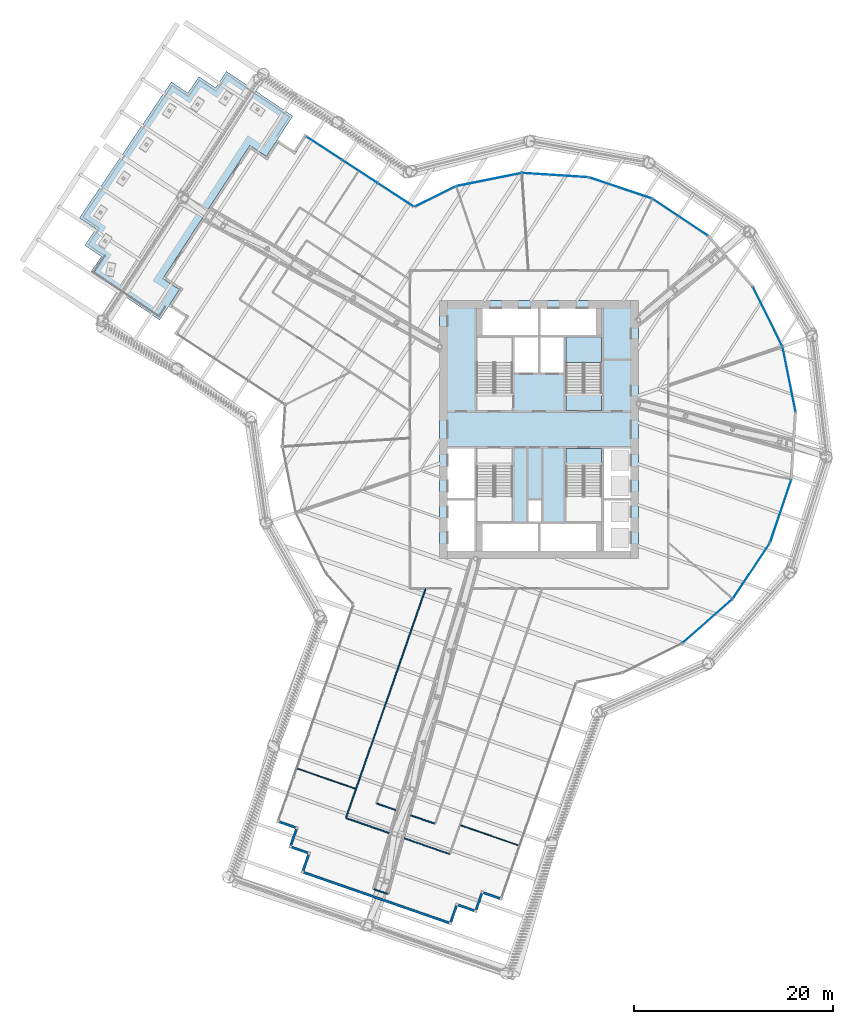
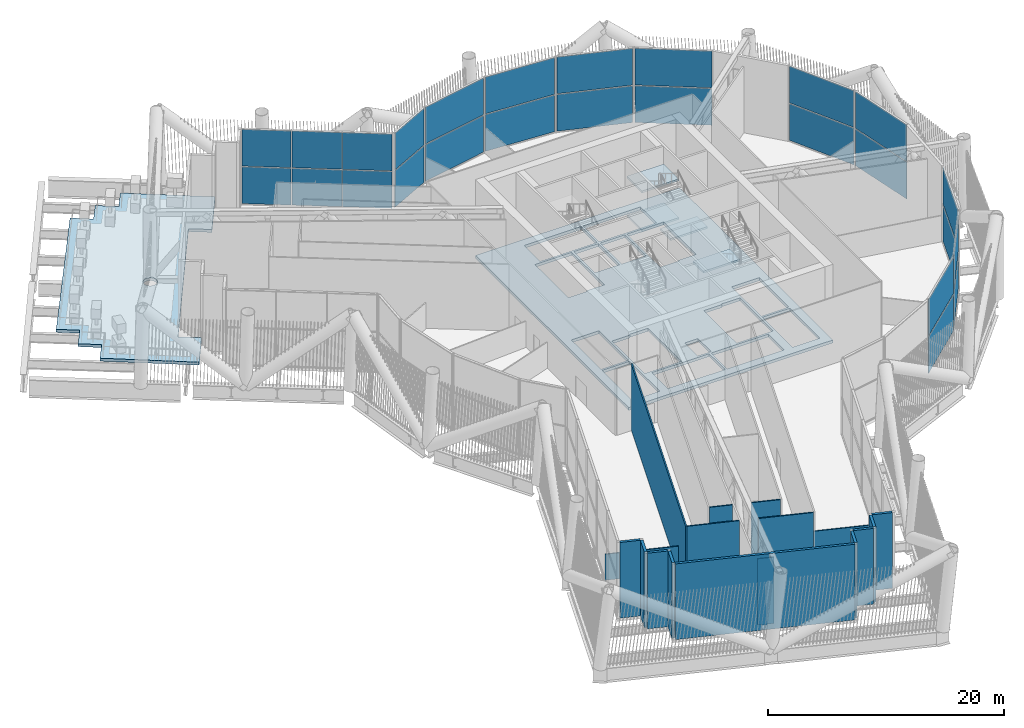
# One storey, part 38 of 63: 26 plates, 17 walls, 6 slabs, 13 elements without a shape of their own.
"""IFC4 building model written with IfcOpenShell, lengths in metres."""

from ifc_helpers import new_model, si_unit, direction, frame, frame_2d, origin, origin_2d, place, context, subcontext, project, spatial, polyline, rectangle, outline, extrude, material, layer, layer_set, type_object, element, aggregate, save


model = new_model("IFC4")

# Units and contexts
model_context = context("Model", 3, precision=1e-05, world=origin(), true_north=direction((0.0, 1.0)))
body_context = subcontext(model_context, "Body", "Model", "MODEL_VIEW")
ifc_project = project(units=[si_unit("LENGTHUNIT", "METRE"), si_unit("AREAUNIT", "SQUARE_METRE"), si_unit("VOLUMEUNIT", "CUBIC_METRE"), si_unit("PLANEANGLEUNIT", "RADIAN"), si_unit("MASSUNIT", "GRAM", prefix="KILO")], contexts=[model_context])

# Site, building, storey
site_placement = place(None, origin())
site = spatial("IfcSite", under=ifc_project, at=site_placement, CompositionType="ELEMENT")
building_placement = place(site_placement, origin())
building = spatial("IfcBuilding", under=site, at=building_placement, Name="Tarsis Ring Headquarters", CompositionType="ELEMENT")
storey_placement = place(building_placement, frame((0.0, 0.0, 139.60009765625)))
storey = spatial("IfcBuildingStorey", under=building, at=storey_placement, Name="L32", CompositionType="ELEMENT", Elevation=139.60009765625)

# Slab
ifc_material_1 = material(Name="Concrete C40/50", Category="concrete")
ifc_layer_1 = layer(ifc_material_1, 0.300048828125)
ifc_layer_set_1 = layer_set([ifc_layer_1], Name="Core floor slab 300 C40/50")
slab_type_1 = type_object("IfcSlabType", Name="Core floor slab 300 C40/50", PredefinedType="FLOOR", material=ifc_layer_set_1)
slab_1_placement = place(storey_placement, frame((0.0, 0.0, -0.300048828125)))
element("IfcSlab", 1, at=slab_1_placement, inside=storey, type_object=slab_type_1, Name="L32 core floor slab", PredefinedType="FLOOR", context=body_context, shape_type="SweptSolid", body=[
    extrude(outline(polyline([(-10.0, -13.0), (10.0, -13.0), (10.0, 13.0), (-10.0, 13.0), (-10.0, -13.0)]), holes=[polyline([(-2.5, 5.699951171875), (-0.10009765625, 5.699951171875), (-0.10009765625, 9.300048828125), (-2.5, 9.300048828125), (-2.5, 5.699951171875)]), polyline([(0.10009765625, 5.699951171875), (2.5, 5.699951171875), (2.5, 9.300048828125), (0.10009765625, 9.300048828125), (0.10009765625, 5.699951171875)]), polyline([(-9.199951171875, -12.199951171875), (-6.5, -12.199951171875), (-6.5, -7.10009765625), (-9.199951171875, -7.10009765625), (-9.199951171875, -12.199951171875)]), polyline([(-9.199951171875, -6.89990234375), (-6.5, -6.89990234375), (-6.5, -1.89990234375), (-9.199951171875, -1.89990234375), (-9.199951171875, -6.89990234375)]), polyline([(6.5, -12.199951171875), (9.199951171875, -12.199951171875), (9.199951171875, -7.10009765625), (6.5, -7.10009765625), (6.5, -12.199951171875)]), polyline([(6.5, -6.89990234375), (9.199951171875, -6.89990234375), (9.199951171875, -1.89990234375), (6.5, -1.89990234375), (6.5, -6.89990234375)]), polyline([(-5.699951171875, 9.5), (-0.10009765625, 9.5), (-0.10009765625, 12.199951171875), (-5.699951171875, 12.199951171875), (-5.699951171875, 9.5)]), polyline([(0.10009765625, 9.5), (5.699951171875, 9.5), (5.699951171875, 12.199951171875), (0.10009765625, 12.199951171875), (0.10009765625, 9.5)]), polyline([(-5.699951171875, -12.199951171875), (-0.10009765625, -12.199951171875), (-0.10009765625, -9.5), (-5.699951171875, -9.5), (-5.699951171875, -12.199951171875)]), polyline([(0.10009765625, -12.199951171875), (5.699951171875, -12.199951171875), (5.699951171875, -9.5), (0.10009765625, -9.5), (0.10009765625, -12.199951171875)]), polyline([(-1.10009765625, -9.300048828125), (0.199951171875, -9.300048828125), (0.199951171875, -7.10009765625), (-1.10009765625, -7.10009765625), (-1.10009765625, -9.300048828125)]), polyline([(-2.699951171875, 3.760009765625), (-2.699951171875, 9.300048828125), (-6.300048828125, 9.300048828125), (-6.300048828125, 3.659912109375), (-4.4599609375, 3.659912109375), (-4.4599609375, 3.760009765625), (-2.699951171875, 3.760009765625)]), polyline([(6.300048828125, 3.760009765625), (6.300048828125, 9.300048828125), (2.699951171875, 9.300048828125), (2.699951171875, 3.659912109375), (4.5400390625, 3.659912109375), (4.5400390625, 3.760009765625), (6.300048828125, 3.760009765625)]), polyline([(-6.300048828125, -3.760009765625), (-6.300048828125, -9.300048828125), (-2.699951171875, -9.300048828125), (-2.699951171875, -3.659912109375), (-4.5400390625, -3.659912109375), (-4.5400390625, -3.760009765625), (-6.300048828125, -3.760009765625)]), polyline([(2.699951171875, -3.760009765625), (2.699951171875, -9.300048828125), (6.300048828125, -9.300048828125), (6.300048828125, -3.659912109375), (4.4599609375, -3.659912109375), (4.4599609375, -3.760009765625), (2.699951171875, -3.760009765625)])]), origin(), (0.0, 0.0, 1.0), 0.300048828125),
])

# Stair, slabs
ifc_material_2 = material(Name="Core stair 1760")
stair_type = type_object("IfcStairType", Name="Core stair 1760", PredefinedType="HALF_TURN_STAIR", material=ifc_material_2)
stair_1_placement = place(storey_placement, origin())
stair_1 = element("IfcStair", 2, at=stair_1_placement, inside=storey, type_object=stair_type, Name="L32 Exit stair B", PredefinedType="HALF_TURN_STAIR")
ifc_layer_2 = layer(ifc_material_1, 0.199951171875)
ifc_layer_set_2 = layer_set([ifc_layer_2], Name="Core stair landing 200")
slab_type_2 = type_object("IfcSlabType", Name="Core stair landing 200", PredefinedType="LANDING", material=ifc_layer_set_2)
slab_2_placement = place(storey_placement, frame((0.0, 0.0, 1.7998046875)))
slab_2 = element("IfcSlab", 3, at=slab_2_placement, type_object=slab_type_2, Name="Stair ST2 landing 1", PredefinedType="LANDING", context=body_context, shape_type="SweptSolid", body=[
    extrude(outline(polyline([(6.300048828125, 6.739990234375), (6.300048828125, 9.300048828125), (2.699951171875, 9.300048828125), (2.699951171875, 6.739990234375), (6.300048828125, 6.739990234375)])), origin(), (0.0, 0.0, 1.0), 0.2001953125),
])
slab_3_placement = place(storey_placement, frame((0.0, 0.0, 3.7998046875)))
slab_3 = element("IfcSlab", 4, at=slab_3_placement, type_object=slab_type_2, Name="Stair ST2 landing 2", PredefinedType="LANDING", context=body_context, shape_type="SweptSolid", body=[
    extrude(outline(polyline([(6.300048828125, 1.89990234375), (6.300048828125, 3.659912109375), (2.699951171875, 3.659912109375), (2.699951171875, 1.89990234375), (6.300048828125, 1.89990234375)])), origin(), (0.0, 0.0, 1.0), 0.2001953125),
])
slab_4_placement = place(storey_placement, frame((0.0, 0.0, 5.7998046875)))
slab_4 = element("IfcSlab", 5, at=slab_4_placement, type_object=slab_type_2, Name="Stair ST2 landing 3", PredefinedType="LANDING", context=body_context, shape_type="SweptSolid", body=[
    extrude(outline(polyline([(6.300048828125, 6.739990234375), (6.300048828125, 9.300048828125), (2.699951171875, 9.300048828125), (2.699951171875, 6.739990234375), (6.300048828125, 6.739990234375)])), origin(), (0.0, 0.0, 1.0), 0.2001953125),
])
aggregate(stair_1, [slab_2, slab_3, slab_4])

# Stair, slab
stair_2_placement = place(storey_placement, origin())
stair_2 = element("IfcStair", 6, at=stair_2_placement, inside=storey, type_object=stair_type, Name="L32 Exit stair D", PredefinedType="HALF_TURN_STAIR")
slab_5_placement = place(storey_placement, frame((0.0, 0.0, 3.7998046875)))
slab_5 = element("IfcSlab", 7, at=slab_5_placement, type_object=slab_type_2, Name="Stair ST4 landing 2", PredefinedType="LANDING", context=body_context, shape_type="SweptSolid", body=[
    extrude(outline(polyline([(2.699951171875, -1.89990234375), (2.699951171875, -3.659912109375), (6.300048828125, -3.659912109375), (6.300048828125, -1.89990234375), (2.699951171875, -1.89990234375)])), origin(), (0.0, 0.0, 1.0), 0.2001953125),
])
aggregate(stair_2, [slab_5])

# Curtain wall, plates
ifc_material_3 = material(Name="Aluminium curtain wall", Category="aluminium")
ifc_layer_3 = layer(ifc_material_3, 0.25)
ifc_layer_set_3 = layer_set([ifc_layer_3], Name="Curtain wall sky lobby")
curtain_wall_type = type_object("IfcCurtainWallType", Name="Curtain wall sky lobby", PredefinedType="NOTDEFINED", material=ifc_layer_set_3)
curtain_wall_1_placement = place(storey_placement, origin())
curtain_wall_1 = element("IfcCurtainWall", 8, at=curtain_wall_1_placement, inside=storey, type_object=curtain_wall_type, Name="Curtain wall L32-19", PredefinedType="NOTDEFINED")
ifc_material_4 = material(Name="Clear double glazing", Category="glass")
ifc_layer_4 = layer(ifc_material_4, 0.028076171875)
ifc_layer_set_4 = layer_set([ifc_layer_4], Name="Curtain wall glass panel sky lobby")
plate_type = type_object("IfcPlateType", Name="Curtain wall glass panel sky lobby", PredefinedType="CURTAIN_PANEL", material=ifc_layer_set_4)
plate_1_placement = place(storey_placement, frame((16.944091796875, -19.260009765625, 0.080078125), z_axis=(0.0, 0.0, 1.0), x_axis=(0.75080315767, 0.660526016469, 0.0)))
plate_1 = element("IfcPlate", 9, at=plate_1_placement, type_object=plate_type, Name="CW-S panel 1.1", PredefinedType="CURTAIN_PANEL", context=body_context, shape_type="SweptSolid", body=[
    extrude(rectangle(XDim=6.5615234375, YDim=0.028076171875, at=origin_2d()), origin(), (0.0, 0.0, 1.0), 3.800048828125),
])
plate_2_placement = place(storey_placement, frame((16.944091796875, -19.260009765625, 3.9599609375), z_axis=(0.0, 0.0, 1.0), x_axis=(0.75080315767, 0.660526016469, 0.0)))
plate_2 = element("IfcPlate", 10, at=plate_2_placement, type_object=plate_type, Name="CW-S panel 1.2", PredefinedType="CURTAIN_PANEL", context=body_context, shape_type="SweptSolid", body=[
    extrude(rectangle(XDim=6.5615234375, YDim=0.028076171875, at=origin_2d()), origin(), (0.0, 0.0, 1.0), 3.800048828125),
])
aggregate(curtain_wall_1, [plate_1, plate_2])

curtain_wall_2_placement = place(storey_placement, origin())
curtain_wall_2 = element("IfcCurtainWall", 11, at=curtain_wall_2_placement, inside=storey, type_object=curtain_wall_type, Name="Curtain wall L32-20", PredefinedType="NOTDEFINED")
plate_3_placement = place(storey_placement, frame((21.351806640625, -14.21826171875, 0.080078125), z_axis=(0.0, 0.0, 1.0), x_axis=(0.554263440719, 0.832341299157, 0.0)))
plate_3 = element("IfcPlate", 12, at=plate_3_placement, type_object=plate_type, Name="CW-S panel 1.1", PredefinedType="CURTAIN_PANEL", context=body_context, shape_type="SweptSolid", body=[
    extrude(rectangle(XDim=6.5615234375, YDim=0.028076171875, at=origin_2d()), origin(), (0.0, 0.0, 1.0), 3.800048828125),
])
plate_4_placement = place(storey_placement, frame((21.351806640625, -14.21826171875, 3.9599609375), z_axis=(0.0, 0.0, 1.0), x_axis=(0.554263440719, 0.832341299157, 0.0)))
plate_4 = element("IfcPlate", 13, at=plate_4_placement, type_object=plate_type, Name="CW-S panel 1.2", PredefinedType="CURTAIN_PANEL", context=body_context, shape_type="SweptSolid", body=[
    extrude(rectangle(XDim=6.5615234375, YDim=0.028076171875, at=origin_2d()), origin(), (0.0, 0.0, 1.0), 3.800048828125),
])
aggregate(curtain_wall_2, [plate_3, plate_4])

curtain_wall_3_placement = place(storey_placement, origin())
curtain_wall_3 = element("IfcCurtainWall", 14, at=curtain_wall_3_placement, inside=storey, type_object=curtain_wall_type, Name="Curtain wall L32-21", PredefinedType="NOTDEFINED")
plate_5_placement = place(storey_placement, frame((24.30419921875, -8.20751953125, 0.080078125), z_axis=(0.0, 0.0, 1.0), x_axis=(0.319951706751, 0.947433852755, 0.0)))
plate_5 = element("IfcPlate", 15, at=plate_5_placement, type_object=plate_type, Name="CW-S panel 1.1", PredefinedType="CURTAIN_PANEL", context=body_context, shape_type="SweptSolid", body=[
    extrude(rectangle(XDim=6.5615234375, YDim=0.028076171875, at=origin_2d()), origin(), (0.0, 0.0, 1.0), 3.800048828125),
])
plate_6_placement = place(storey_placement, frame((24.30419921875, -8.20751953125, 3.9599609375), z_axis=(0.0, 0.0, 1.0), x_axis=(0.319951706751, 0.947433852755, 0.0)))
plate_6 = element("IfcPlate", 16, at=plate_6_placement, type_object=plate_type, Name="CW-S panel 1.2", PredefinedType="CURTAIN_PANEL", context=body_context, shape_type="SweptSolid", body=[
    extrude(rectangle(XDim=6.5615234375, YDim=0.028076171875, at=origin_2d()), origin(), (0.0, 0.0, 1.0), 3.800048828125),
])
aggregate(curtain_wall_3, [plate_5, plate_6])

curtain_wall_4_placement = place(storey_placement, origin())
curtain_wall_4 = element("IfcCurtainWall", 17, at=curtain_wall_4_placement, inside=storey, type_object=curtain_wall_type, Name="Curtain wall L32-23", PredefinedType="NOTDEFINED")
plate_7_placement = place(storey_placement, frame((25.15185546875, 5.044189453125, 0.080078125), z_axis=(0.0, 0.0, 1.0), x_axis=(-0.196630671205, 0.980477628068, 0.0)))
plate_7 = element("IfcPlate", 18, at=plate_7_placement, type_object=plate_type, Name="CW-S panel 1.1", PredefinedType="CURTAIN_PANEL", context=body_context, shape_type="SweptSolid", body=[
    extrude(rectangle(XDim=6.5615234375, YDim=0.028076171875, at=origin_2d()), origin(), (0.0, 0.0, 1.0), 3.800048828125),
])
plate_8_placement = place(storey_placement, frame((25.15185546875, 5.044189453125, 3.9599609375), z_axis=(0.0, 0.0, 1.0), x_axis=(-0.196630671205, 0.980477628068, 0.0)))
plate_8 = element("IfcPlate", 19, at=plate_8_placement, type_object=plate_type, Name="CW-S panel 1.2", PredefinedType="CURTAIN_PANEL", context=body_context, shape_type="SweptSolid", body=[
    extrude(rectangle(XDim=6.5615234375, YDim=0.028076171875, at=origin_2d()), origin(), (0.0, 0.0, 1.0), 3.800048828125),
])
aggregate(curtain_wall_4, [plate_7, plate_8])

curtain_wall_5_placement = place(storey_placement, origin())
curtain_wall_5 = element("IfcCurtainWall", 20, at=curtain_wall_5_placement, inside=storey, type_object=curtain_wall_type, Name="Curtain wall L32-24", PredefinedType="NOTDEFINED")
plate_9_placement = place(storey_placement, frame((22.9892578125, 11.382080078125, 0.080078125), z_axis=(0.0, 0.0, 1.0), x_axis=(-0.443696960471, 0.896176883918, 0.0)))
plate_9 = element("IfcPlate", 21, at=plate_9_placement, type_object=plate_type, Name="CW-S panel 1.1", PredefinedType="CURTAIN_PANEL", context=body_context, shape_type="SweptSolid", body=[
    extrude(rectangle(XDim=6.5615234375, YDim=0.028076171875, at=origin_2d()), origin(), (0.0, 0.0, 1.0), 3.800048828125),
])
plate_10_placement = place(storey_placement, frame((22.9892578125, 11.382080078125, 3.9599609375), z_axis=(0.0, 0.0, 1.0), x_axis=(-0.443696960471, 0.896176883918, 0.0)))
plate_10 = element("IfcPlate", 22, at=plate_10_placement, type_object=plate_type, Name="CW-S panel 1.2", PredefinedType="CURTAIN_PANEL", context=body_context, shape_type="SweptSolid", body=[
    extrude(rectangle(XDim=6.5615234375, YDim=0.028076171875, at=origin_2d()), origin(), (0.0, 0.0, 1.0), 3.800048828125),
])
aggregate(curtain_wall_5, [plate_9, plate_10])

curtain_wall_6_placement = place(storey_placement, origin())
curtain_wall_6 = element("IfcCurtainWall", 23, at=curtain_wall_6_placement, inside=storey, type_object=curtain_wall_type, Name="Curtain wall L32-26", PredefinedType="NOTDEFINED")
plate_11_placement = place(storey_placement, frame((14.21826171875, 21.351806640625, 0.080078125), z_axis=(0.0, 0.0, 1.0), x_axis=(-0.832341299157, 0.554263440719, 0.0)))
plate_11 = element("IfcPlate", 24, at=plate_11_placement, type_object=plate_type, Name="CW-S panel 1.1", PredefinedType="CURTAIN_PANEL", context=body_context, shape_type="SweptSolid", body=[
    extrude(rectangle(XDim=6.5615234375, YDim=0.028076171875, at=origin_2d()), origin(), (0.0, 0.0, 1.0), 3.800048828125),
])
plate_12_placement = place(storey_placement, frame((14.21826171875, 21.351806640625, 3.9599609375), z_axis=(0.0, 0.0, 1.0), x_axis=(-0.832341299157, 0.554263440719, 0.0)))
plate_12 = element("IfcPlate", 25, at=plate_12_placement, type_object=plate_type, Name="CW-S panel 1.2", PredefinedType="CURTAIN_PANEL", context=body_context, shape_type="SweptSolid", body=[
    extrude(rectangle(XDim=6.5615234375, YDim=0.028076171875, at=origin_2d()), origin(), (0.0, 0.0, 1.0), 3.800048828125),
])
aggregate(curtain_wall_6, [plate_11, plate_12])

curtain_wall_7_placement = place(storey_placement, origin())
curtain_wall_7 = element("IfcCurtainWall", 26, at=curtain_wall_7_placement, inside=storey, type_object=curtain_wall_type, Name="Curtain wall L32-27", PredefinedType="NOTDEFINED")
plate_13_placement = place(storey_placement, frame((8.20751953125, 24.30419921875, 0.080078125), z_axis=(0.0, 0.0, 1.0), x_axis=(-0.947433852755, 0.319951706751, 0.0)))
plate_13 = element("IfcPlate", 27, at=plate_13_placement, type_object=plate_type, Name="CW-S panel 1.1", PredefinedType="CURTAIN_PANEL", context=body_context, shape_type="SweptSolid", body=[
    extrude(rectangle(XDim=6.5615234375, YDim=0.028076171875, at=origin_2d()), origin(), (0.0, 0.0, 1.0), 3.800048828125),
])
plate_14_placement = place(storey_placement, frame((8.20751953125, 24.30419921875, 3.9599609375), z_axis=(0.0, 0.0, 1.0), x_axis=(-0.947433852755, 0.319951706751, 0.0)))
plate_14 = element("IfcPlate", 28, at=plate_14_placement, type_object=plate_type, Name="CW-S panel 1.2", PredefinedType="CURTAIN_PANEL", context=body_context, shape_type="SweptSolid", body=[
    extrude(rectangle(XDim=6.5615234375, YDim=0.028076171875, at=origin_2d()), origin(), (0.0, 0.0, 1.0), 3.800048828125),
])
aggregate(curtain_wall_7, [plate_13, plate_14])

curtain_wall_8_placement = place(storey_placement, origin())
curtain_wall_8 = element("IfcCurtainWall", 29, at=curtain_wall_8_placement, inside=storey, type_object=curtain_wall_type, Name="Curtain wall L32-28", PredefinedType="NOTDEFINED")
plate_15_placement = place(storey_placement, frame((1.637451171875, 25.600341796875, 0.080078125), z_axis=(0.0, 0.0, 1.0), x_axis=(-0.997960430881, 0.063835557462, 0.0)))
plate_15 = element("IfcPlate", 30, at=plate_15_placement, type_object=plate_type, Name="CW-S panel 1.1", PredefinedType="CURTAIN_PANEL", context=body_context, shape_type="SweptSolid", body=[
    extrude(rectangle(XDim=6.5615234375, YDim=0.028076171875, at=origin_2d()), origin(), (0.0, 0.0, 1.0), 3.800048828125),
])
plate_16_placement = place(storey_placement, frame((1.637451171875, 25.600341796875, 3.9599609375), z_axis=(0.0, 0.0, 1.0), x_axis=(-0.997960430881, 0.063835557462, 0.0)))
plate_16 = element("IfcPlate", 31, at=plate_16_placement, type_object=plate_type, Name="CW-S panel 1.2", PredefinedType="CURTAIN_PANEL", context=body_context, shape_type="SweptSolid", body=[
    extrude(rectangle(XDim=6.5615234375, YDim=0.028076171875, at=origin_2d()), origin(), (0.0, 0.0, 1.0), 3.800048828125),
])
aggregate(curtain_wall_8, [plate_15, plate_16])

curtain_wall_9_placement = place(storey_placement, origin())
curtain_wall_9 = element("IfcCurtainWall", 32, at=curtain_wall_9_placement, inside=storey, type_object=curtain_wall_type, Name="Curtain wall L32-29", PredefinedType="NOTDEFINED")
plate_17_placement = place(storey_placement, frame((-5.044189453125, 25.15185546875, 0.080078125), z_axis=(0.0, 0.0, 1.0), x_axis=(-0.980477628068, -0.196630671205, 0.0)))
plate_17 = element("IfcPlate", 33, at=plate_17_placement, type_object=plate_type, Name="CW-S panel 1.1", PredefinedType="CURTAIN_PANEL", context=body_context, shape_type="SweptSolid", body=[
    extrude(rectangle(XDim=6.5615234375, YDim=0.028076171875, at=origin_2d()), origin(), (0.0, 0.0, 1.0), 3.800048828125),
])
plate_18_placement = place(storey_placement, frame((-5.044189453125, 25.15185546875, 3.9599609375), z_axis=(0.0, 0.0, 1.0), x_axis=(-0.980477628068, -0.196630671205, 0.0)))
plate_18 = element("IfcPlate", 34, at=plate_18_placement, type_object=plate_type, Name="CW-S panel 1.2", PredefinedType="CURTAIN_PANEL", context=body_context, shape_type="SweptSolid", body=[
    extrude(rectangle(XDim=6.5615234375, YDim=0.028076171875, at=origin_2d()), origin(), (0.0, 0.0, 1.0), 3.800048828125),
])
aggregate(curtain_wall_9, [plate_17, plate_18])

curtain_wall_10_placement = place(storey_placement, origin())
curtain_wall_10 = element("IfcCurtainWall", 35, at=curtain_wall_10_placement, inside=storey, type_object=curtain_wall_type, Name="Curtain wall L32-30", PredefinedType="NOTDEFINED")
plate_19_placement = place(storey_placement, frame((-10.439208984375, 23.4560546875, 0.080078125), z_axis=(0.0, 0.0, 1.0), x_axis=(-0.896176967932, -0.443696790779, 0.0)))
plate_19 = element("IfcPlate", 36, at=plate_19_placement, type_object=plate_type, Name="CW-S panel 1.1", PredefinedType="CURTAIN_PANEL", context=body_context, shape_type="SweptSolid", body=[
    extrude(rectangle(XDim=4.457763671875, YDim=0.028076171875, at=origin_2d()), origin(), (0.0, 0.0, 1.0), 3.800048828125),
])
plate_20_placement = place(storey_placement, frame((-10.439208984375, 23.4560546875, 3.9599609375), z_axis=(0.0, 0.0, 1.0), x_axis=(-0.896176967932, -0.443696790779, 0.0)))
plate_20 = element("IfcPlate", 37, at=plate_20_placement, type_object=plate_type, Name="CW-S panel 1.2", PredefinedType="CURTAIN_PANEL", context=body_context, shape_type="SweptSolid", body=[
    extrude(rectangle(XDim=4.457763671875, YDim=0.028076171875, at=origin_2d()), origin(), (0.0, 0.0, 1.0), 3.800048828125),
])
aggregate(curtain_wall_10, [plate_19, plate_20])

curtain_wall_11_placement = place(storey_placement, origin())
curtain_wall_11 = element("IfcCurtainWall", 38, at=curtain_wall_11_placement, inside=storey, type_object=curtain_wall_type, Name="Curtain wall L32-31", PredefinedType="NOTDEFINED")
plate_21_placement = place(storey_placement, frame((-14.44921875, 23.6259765625, 0.080078125), z_axis=(0.0, 0.0, 1.0), x_axis=(-0.837146417436, 0.546978862274, 0.0)))
plate_21 = element("IfcPlate", 39, at=plate_21_placement, type_object=plate_type, Name="CW-S panel 1.1", PredefinedType="CURTAIN_PANEL", context=body_context, shape_type="SweptSolid", body=[
    extrude(rectangle(XDim=4.180419921875, YDim=0.028076171875, at=origin_2d()), origin(), (0.0, 0.0, 1.0), 3.800048828125),
])
plate_22_placement = place(storey_placement, frame((-14.44921875, 23.6259765625, 3.9599609375), z_axis=(0.0, 0.0, 1.0), x_axis=(-0.837146417436, 0.546978862274, 0.0)))
plate_22 = element("IfcPlate", 40, at=plate_22_placement, type_object=plate_type, Name="CW-S panel 1.2", PredefinedType="CURTAIN_PANEL", context=body_context, shape_type="SweptSolid", body=[
    extrude(rectangle(XDim=4.180419921875, YDim=0.028076171875, at=origin_2d()), origin(), (0.0, 0.0, 1.0), 3.800048828125),
])
plate_23_placement = place(storey_placement, frame((-18.032470703125, 25.96728515625, 0.080078125), z_axis=(0.0, 0.0, 1.0), x_axis=(-0.837146417436, 0.546978862274, 0.0)))
plate_23 = element("IfcPlate", 41, at=plate_23_placement, type_object=plate_type, Name="CW-S panel 2.1", PredefinedType="CURTAIN_PANEL", context=body_context, shape_type="SweptSolid", body=[
    extrude(rectangle(XDim=4.220458984375, YDim=0.028076171875, at=origin_2d()), origin(), (0.0, 0.0, 1.0), 3.800048828125),
])
plate_24_placement = place(storey_placement, frame((-18.032470703125, 25.96728515625, 3.9599609375), z_axis=(0.0, 0.0, 1.0), x_axis=(-0.837146417436, 0.546978862274, 0.0)))
plate_24 = element("IfcPlate", 42, at=plate_24_placement, type_object=plate_type, Name="CW-S panel 2.2", PredefinedType="CURTAIN_PANEL", context=body_context, shape_type="SweptSolid", body=[
    extrude(rectangle(XDim=4.220458984375, YDim=0.028076171875, at=origin_2d()), origin(), (0.0, 0.0, 1.0), 3.800048828125),
])
plate_25_placement = place(storey_placement, frame((-21.61572265625, 28.30859375, 0.080078125), z_axis=(0.0, 0.0, 1.0), x_axis=(-0.837146417436, 0.546978862274, 0.0)))
plate_25 = element("IfcPlate", 43, at=plate_25_placement, type_object=plate_type, Name="CW-S panel 3.1", PredefinedType="CURTAIN_PANEL", context=body_context, shape_type="SweptSolid", body=[
    extrude(rectangle(XDim=4.180419921875, YDim=0.028076171875, at=origin_2d()), origin(), (0.0, 0.0, 1.0), 3.800048828125),
])
plate_26_placement = place(storey_placement, frame((-21.61572265625, 28.30859375, 3.9599609375), z_axis=(0.0, 0.0, 1.0), x_axis=(-0.837146417436, 0.546978862274, 0.0)))
plate_26 = element("IfcPlate", 44, at=plate_26_placement, type_object=plate_type, Name="CW-S panel 3.2", PredefinedType="CURTAIN_PANEL", context=body_context, shape_type="SweptSolid", body=[
    extrude(rectangle(XDim=4.180419921875, YDim=0.028076171875, at=origin_2d()), origin(), (0.0, 0.0, 1.0), 3.800048828125),
])
aggregate(curtain_wall_11, [plate_21, plate_22, plate_23, plate_24, plate_25, plate_26])

# Slab
ifc_material_5 = material(Name="Concrete C35/45", Category="concrete")
ifc_layer_5 = layer(ifc_material_5, 0.300048828125)
ifc_layer_set_5 = layer_set([ifc_layer_5], Name="FS Terrace slab 300")
slab_type_3 = type_object("IfcSlabType", Name="FS Terrace slab 300", PredefinedType="FLOOR", material=ifc_layer_set_5)
slab_6_placement = place(storey_placement, frame((0.0, 0.0, -0.300048828125)))
element("IfcSlab", 45, at=slab_6_placement, inside=storey, type_object=slab_type_3, Name="Terrace slab L32", PredefinedType="FLOOR", context=body_context, shape_type="SweptSolid", body=[
    extrude(outline(polyline([(-45.71337890625, 18.53125), (-44.056396484375, 17.4111328125), (-45.176513671875, 15.75439453125), (-38.186279296875, 11.028564453125), (-37.28125, 12.413818359375), (-37.28125, 12.413818359375), (-36.1875, 14.088134765625), (-37.861572265625, 15.181884765625), (-29.110107421875, 28.576416015625), (-27.435791015625, 27.482421875), (-26.341796875, 29.15673828125), (-24.78369140625, 31.541259765625), (-31.455078125, 36.05126953125), (-32.5751953125, 34.39453125), (-34.232177734375, 35.5146484375), (-35.352294921875, 33.857666015625), (-37.00927734375, 34.977783203125), (-46.250244140625, 21.308349609375), (-44.59326171875, 20.188232421875), (-45.71337890625, 18.53125)]), holes=[polyline([(-35.297119140625, 23.1259765625), (-35.327392578125, 23.074951171875), (-35.36279296875, 23.02734375), (-35.402587890625, 22.9833984375), (-35.446533203125, 22.943603515625), (-35.494140625, 22.908203125), (-35.545166015625, 22.8779296875), (-35.5986328125, 22.8525390625), (-35.654541015625, 22.83251953125), (-35.7119140625, 22.818115234375), (-35.770751953125, 22.809326171875), (-35.829833984375, 22.806396484375), (-35.88916015625, 22.809326171875), (-35.94775390625, 22.818115234375), (-36.00537109375, 22.83251953125), (-36.06103515625, 22.8525390625), (-36.11474609375, 22.8779296875), (-36.16552734375, 22.908203125), (-36.213134765625, 22.943603515625), (-36.257080078125, 22.9833984375), (-36.296875, 23.02734375), (-36.332275390625, 23.074951171875), (-36.36279296875, 23.1259765625), (-36.38818359375, 23.179443359375), (-36.407958984375, 23.2353515625), (-36.42236328125, 23.292724609375), (-36.43115234375, 23.3515625), (-36.43408203125, 23.41064453125), (-36.43115234375, 23.469970703125), (-36.42236328125, 23.528564453125), (-36.407958984375, 23.586181640625), (-36.38818359375, 23.641845703125), (-36.36279296875, 23.695556640625), (-36.332275390625, 23.746337890625), (-36.296875, 23.7939453125), (-36.257080078125, 23.837890625), (-36.213134765625, 23.877685546875), (-36.16552734375, 23.9130859375), (-36.11474609375, 23.943603515625), (-36.06103515625, 23.968994140625), (-36.00537109375, 23.98876953125), (-35.94775390625, 24.003173828125), (-35.88916015625, 24.011962890625), (-35.829833984375, 24.014892578125), (-35.770751953125, 24.011962890625), (-35.7119140625, 24.003173828125), (-35.654541015625, 23.98876953125), (-35.5986328125, 23.968994140625), (-35.545166015625, 23.943603515625), (-35.494140625, 23.9130859375), (-35.446533203125, 23.877685546875), (-35.402587890625, 23.837890625), (-35.36279296875, 23.7939453125), (-35.327392578125, 23.746337890625), (-35.297119140625, 23.695556640625), (-35.271728515625, 23.641845703125), (-35.251708984375, 23.586181640625), (-35.2373046875, 23.528564453125), (-35.228515625, 23.469970703125), (-35.2255859375, 23.41064453125), (-35.228515625, 23.3515625), (-35.2373046875, 23.292724609375), (-35.251708984375, 23.2353515625), (-35.271728515625, 23.179443359375), (-35.297119140625, 23.1259765625)])]), origin(), (0.0, 0.0, 1.0), 0.300048828125),
])

# Walls
ifc_material_6 = material(Name="Gypsum board on steel studs", Category="steel")
ifc_layer_6 = layer(ifc_material_6, 0.10009765625)
ifc_layer_set_6 = layer_set([ifc_layer_6], Name="FL partition 100 unrated")
wall_type_1 = type_object("IfcWallType", Name="FL partition 100 unrated", PredefinedType="PARTITIONING", material=ifc_layer_set_6)
wall_1_placement = place(storey_placement, frame((-7.907470703125, -39.820556640625, 0.0), z_axis=(0.0, 0.0, 1.0), x_axis=(0.944601003039, -0.328220878462, 0.0)))
element("IfcWall", 46, at=wall_1_placement, inside=storey, type_object=wall_type_1, Name="Partition PW3", PredefinedType="PARTITIONING", context=body_context, shape_type="SweptSolid", body=[
    extrude(rectangle(XDim=6.35009765625, YDim=0.10009765625, at=frame_2d((3.175048828125, 0.0))), origin(), (0.0, 0.0, 1.0), 2.699951171875),
])
wall_2_placement = place(storey_placement, frame((-24.485107421875, -34.060546875, 0.0), z_axis=(0.0, 0.0, 1.0), x_axis=(0.944608781294, -0.328198492231, 0.0)))
element("IfcWall", 47, at=wall_2_placement, inside=storey, type_object=wall_type_1, Name="Partition PW3", PredefinedType="PARTITIONING", context=body_context, shape_type="SweptSolid", body=[
    extrude(rectangle(XDim=6.349853515625, YDim=0.10009765625, at=frame_2d((3.1748046875, 0.0))), origin(), (0.0, 0.0, 1.0), 2.699951171875),
])
ifc_layer_7 = layer(ifc_material_6, 0.125)
ifc_layer_set_7 = layer_set([ifc_layer_7], Name="FL partition 125 EI 60 H6870")
wall_type_2 = type_object("IfcWallType", Name="FL partition 125 EI 60 H6870", PredefinedType="PARTITIONING", material=ifc_layer_set_7)
wall_3_placement = place(storey_placement, frame((-19.438232421875, -39.095703125, 0.0), z_axis=(0.0, 0.0, 1.0), x_axis=(0.328205742423, 0.944606262228, 0.0)))
element("IfcWall", 48, at=wall_3_placement, inside=storey, type_object=wall_type_2, Name="Partition PW1H687", PredefinedType="PARTITIONING", context=body_context, shape_type="SweptSolid", body=[
    extrude(rectangle(XDim=24.4501953125, YDim=0.125, at=frame_2d((12.22509765625, 0.0))), origin(), (0.0, 0.0, 1.0), 6.869873046875),
])
wall_4_placement = place(storey_placement, frame((-13.568359375, -41.135498046875, 0.0), z_axis=(0.0, 0.0, 1.0), x_axis=(0.944602730161, -0.328215907861, 0.0)))
element("IfcWall", 49, at=wall_4_placement, inside=storey, type_object=wall_type_2, Name="Partition PW1H687", PredefinedType="PARTITIONING", context=body_context, shape_type="SweptSolid", body=[
    extrude(rectangle(XDim=4.785888671875, YDim=0.125, at=frame_2d((2.39306640625, 0.0))), origin(), (0.0, 0.0, 1.0), 6.869873046875),
])
wall_5_placement = place(storey_placement, frame((-19.381591796875, -39.115478515625, 0.0), z_axis=(0.0, 0.0, 1.0), x_axis=(0.944593670791, -0.328241979494, 0.0)))
element("IfcWall", 50, at=wall_5_placement, inside=storey, type_object=wall_type_2, Name="Partition PW1H687", PredefinedType="PARTITIONING", context=body_context, shape_type="SweptSolid", body=[
    extrude(rectangle(XDim=4.52001953125, YDim=0.125, at=frame_2d((2.260009765625, 0.0))), origin(), (0.0, 0.0, 1.0), 6.869873046875),
])
wall_6_placement = place(storey_placement, frame((-12.93212890625, -38.81591796875, 0.0), z_axis=(0.0, 0.0, 1.0), x_axis=(0.944615833261, -0.328178194815, 0.0)))
element("IfcWall", 51, at=wall_6_placement, inside=storey, type_object=wall_type_2, Name="Partition PW1H687", PredefinedType="PARTITIONING", context=body_context, shape_type="SweptSolid", body=[
    extrude(rectangle(XDim=2.544189453125, YDim=0.125, at=frame_2d((1.27197265625, 0.0))), origin(), (0.0, 0.0, 1.0), 6.869873046875),
])
wall_7_placement = place(storey_placement, frame((-16.324951171875, -37.636962890625, 0.0), z_axis=(0.0, 0.0, 1.0), x_axis=(0.944626492549, -0.328147511913, 0.0)))
element("IfcWall", 52, at=wall_7_placement, inside=storey, type_object=wall_type_2, Name="Partition PW1H687", PredefinedType="PARTITIONING", context=body_context, shape_type="SweptSolid", body=[
    extrude(rectangle(XDim=2.005126953125, YDim=0.125, at=frame_2d((1.00244140625, 0.0))), origin(), (0.0, 0.0, 1.0), 6.869873046875),
])
wall_8_placement = place(storey_placement, frame((-16.618408203125, -46.258056640625, 0.0), z_axis=(0.0, 0.0, 1.0), x_axis=(0.944611918517, -0.328189462652, 0.0)))
element("IfcWall", 53, at=wall_8_placement, inside=storey, type_object=wall_type_2, Name="Partition PW1H687", PredefinedType="PARTITIONING", context=body_context, shape_type="SweptSolid", body=[
    extrude(rectangle(XDim=1.4296875, YDim=0.125, at=frame_2d((0.71484375, 0.0))), origin(), (0.0, 0.0, 1.0), 6.869873046875),
])
ifc_material_7 = material(Name="Terracotta clad insulated panel wall", Category="masonry")
ifc_layer_8 = layer(ifc_material_7, 0.25)
ifc_layer_set_8 = layer_set([ifc_layer_8], Name="Facade wall terracotta panel 250")
wall_type_3 = type_object("IfcWallType", Name="Facade wall terracotta panel 250", PredefinedType="STANDARD", material=ifc_layer_set_8)
for number, where, z_axis, x_axis, name in (
    (54, (-26.155517578125, -39.477294921875, 0.0), (0.0, 0.0, 1.0), (0.944573943834, -0.32829874296, 0.0), "External wall L32-07"),
    (55, (-24.425537109375, -40.2109375, 0.0), (0.0, 0.0, 1.0), (-0.32829874296, -0.944573943834, 0.0), "External wall L32-08"),
):
    element("IfcWall", number, at=place(storey_placement, frame(where, z_axis=z_axis, x_axis=x_axis)), inside=storey, type_object=wall_type_3, Name=name, PredefinedType="STANDARD", context=body_context, shape_type="SweptSolid", body=[
        extrude(rectangle(XDim=1.749755859375, YDim=0.25, at=frame_2d((0.875, 0.0))), origin(), (0.0, 0.0, 1.0), 7.83984375),
    ])
for number, where, z_axis, x_axis, name in (
    (56, (-24.9228515625, -42.02294921875, 0.0), (0.0, 0.0, 1.0), (0.944588978711, -0.328255481747, 0.0), "External wall L32-09"),
    (57, (-23.192626953125, -42.75634765625, 0.0), (0.0, 0.0, 1.0), (-0.328255481747, -0.944588978711, 0.0), "External wall L32-10"),
):
    element("IfcWall", number, at=place(storey_placement, frame(where, z_axis=z_axis, x_axis=x_axis)), inside=storey, type_object=wall_type_3, Name=name, PredefinedType="STANDARD", context=body_context, shape_type="SweptSolid", body=[
        extrude(rectangle(XDim=1.75, YDim=0.25, at=frame_2d((0.875, 0.0))), origin(), (0.0, 0.0, 1.0), 7.83984375),
    ])
wall_9_placement = place(storey_placement, frame((-23.68994140625, -44.568603515625, 0.0), z_axis=(0.0, 0.0, 1.0), x_axis=(0.944606602866, -0.328204762034, 0.0)))
element("IfcWall", 58, at=wall_9_placement, inside=storey, type_object=wall_type_3, Name="External wall L32-11", PredefinedType="STANDARD", context=body_context, shape_type="SweptSolid", body=[
    extrude(rectangle(XDim=15.5, YDim=0.25, at=frame_2d((7.75, 0.0))), origin(), (0.0, 0.0, 1.0), 7.83984375),
])
for number, where, z_axis, x_axis, name in (
    (59, (-8.8896484375, -49.578857421875, 0.0), (0.0, 0.0, 1.0), (0.328255481747, 0.944588978711, 0.0), "External wall L32-12"),
    (60, (-8.156005859375, -47.8486328125, 0.0), (0.0, 0.0, 1.0), (0.944588978711, -0.328255481747, 0.0), "External wall L32-13"),
    (61, (-6.343994140625, -48.345947265625, 0.0), (0.0, 0.0, 1.0), (0.328255481747, 0.944588978711, 0.0), "External wall L32-14"),
    (62, (-5.6103515625, -46.615966796875, 0.0), (0.0, 0.0, 1.0), (0.944632228347, -0.328131000011, 0.0), "External wall L32-15"),
):
    element("IfcWall", number, at=place(storey_placement, frame(where, z_axis=z_axis, x_axis=x_axis)), inside=storey, type_object=wall_type_3, Name=name, PredefinedType="STANDARD", context=body_context, shape_type="SweptSolid", body=[
        extrude(rectangle(XDim=1.75, YDim=0.25, at=frame_2d((0.875, 0.0))), origin(), (0.0, 0.0, 1.0), 7.83984375),
    ])

save(model, "model.ifc")
